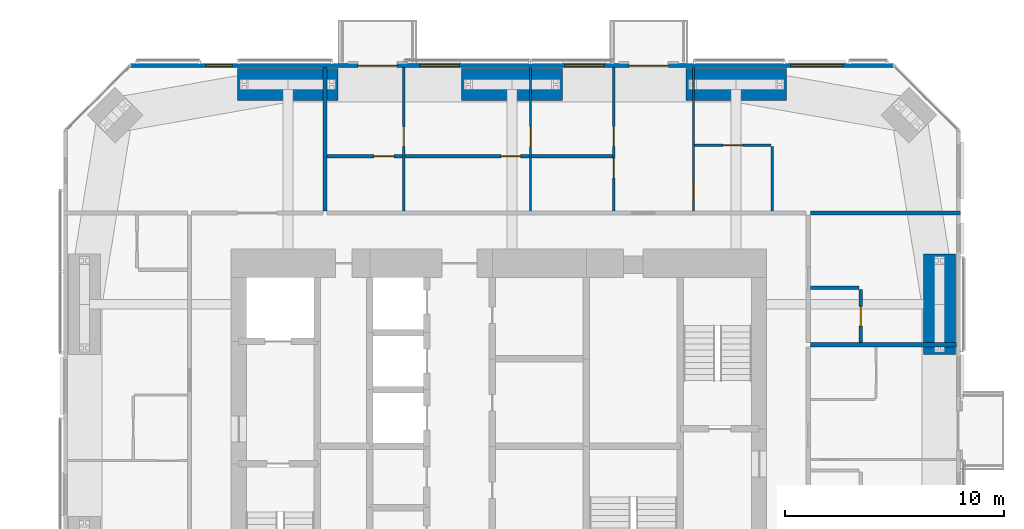
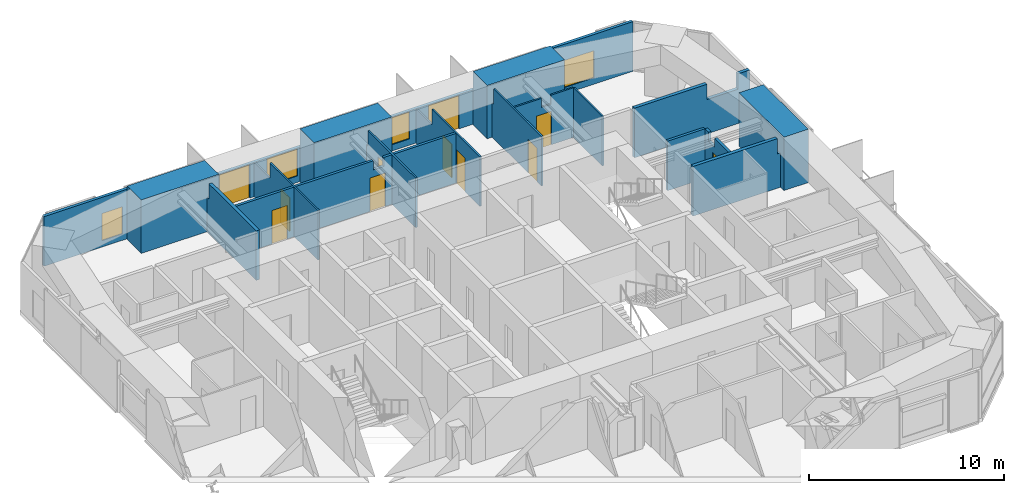
# One storey, part 20 of 22: 19 walls, 11 doors, 4 windows, 15 openings.
"""IFC4 building model written with IfcOpenShell, lengths in metres."""

from ifc_helpers import new_model, si_unit, direction, frame, frame_2d, origin, place, context, subcontext, project, spatial, polyline, rectangle, outline, extrude, material, layer, layer_set, constituent, constituent_set, type_object, element, fill, save


model = new_model("IFC4")

# Units and contexts
model_context = context("Model", 3, precision=1e-05, world=origin(), true_north=direction((0.0, 1.0)))
body_context = subcontext(model_context, "Body", "Model", "MODEL_VIEW")
ifc_project = project(units=[si_unit("LENGTHUNIT", "METRE"), si_unit("AREAUNIT", "SQUARE_METRE"), si_unit("VOLUMEUNIT", "CUBIC_METRE"), si_unit("PLANEANGLEUNIT", "RADIAN"), si_unit("MASSUNIT", "GRAM", prefix="KILO")], contexts=[model_context])

# Site, building, storey
site_placement = place(None, origin())
site = spatial("IfcSite", under=ifc_project, at=site_placement, CompositionType="ELEMENT")
building_placement = place(site_placement, origin())
building = spatial("IfcBuilding", under=site, at=building_placement, Name="Jalousie Tower", CompositionType="ELEMENT")
storey_placement = place(building_placement, frame((0.0, 0.0, 174.449951171875)))
storey = spatial("IfcBuildingStorey", under=building, at=storey_placement, Name="L47", CompositionType="ELEMENT", Elevation=174.449951171875)

# Wall, opening, door
ifc_material_1 = material(Name="Concrete block ASTM C90", Category="concrete")
ifc_constituent_1 = constituent(ifc_material_1, Name="Body")
ifc_material_2 = material(Name="Render")
ifc_constituent_2 = constituent(ifc_material_2, Name="Finish")
ifc_constituent_set_1 = constituent_set(constituents=[ifc_constituent_1, ifc_constituent_2])
wall_type_1 = type_object("IfcWallType", Name="BATHROOM WALL 150", PredefinedType="PLUMBINGWALL", material=ifc_constituent_set_1)
wall_1_placement = place(storey_placement, frame((24.050048828125, 31.77490234375, 0.0), z_axis=(0.0, 0.0, 1.0), x_axis=(1.0, 0.0, 0.0)))
wall_1 = element("IfcWall", 1, at=wall_1_placement, inside=storey, type_object=wall_type_1, Name="Bathroom Wall 150 L47", PredefinedType="PLUMBINGWALL", context=body_context, shape_type="SweptSolid", body=[
    extrude(rectangle(XDim=3.449951171875, YDim=0.14990234375, at=frame_2d((1.72509765625, 0.0))), origin(), (0.0, 0.0, 1.0), 3.110107421875),
])
opening_1_placement = place(wall_1_placement, frame((2.14990234375, 0.0, 0.0)))
opening_1 = element("IfcOpeningElement", 2, at=opening_1_placement, cuts=wall_1, Name="Opening D3", PredefinedType="OPENING", context=body_context, shape_type="SweptSolid", body=[
    extrude(rectangle(XDim=0.89990234375, YDim=2.10009765625, at=frame_2d((0.449951171875, 1.050048828125))), frame((0.0, 0.0849609375, 0.0), z_axis=(0.0, -1.0, 0.0), x_axis=(1.0, 0.0, 0.0)), (0.0, 0.0, 1.0), 0.169921875),
])
ifc_material_3 = material(Name="Timber door", Category="wood")
door_type_1 = type_object("IfcDoorType", Name="BATHROOM DOOR 900", OperationType="SINGLE_SWING_LEFT", PredefinedType="DOOR", material=ifc_material_3)
door_1_placement = place(opening_1_placement, frame((0.89990234375, 0.0, 0.0), z_axis=(0.0, 0.0, 1.0), x_axis=(-1.0, 0.0, 0.0)))
door_1 = element("IfcDoor", 3, at=door_1_placement, inside=storey, type_object=door_type_1, Name="Apartment 4704 bedroom 1 bathroom door", OperationType="SINGLE_SWING_LEFT", OverallHeight=2.10009765625, OverallWidth=0.89990234375, PredefinedType="DOOR", context=body_context, shape_type="SweptSolid", body=[
    extrude(rectangle(XDim=0.89990234375, YDim=2.10009765625, at=frame_2d((0.449951171875, 1.050048828125))), frame((0.0, 0.02490234375, 0.0), z_axis=(0.0, -1.0, 0.0), x_axis=(1.0, 0.0, 0.0)), (0.0, 0.0, 1.0), 0.050048828125),
])
fill(opening_1, door_1)

wall_2_placement = place(storey_placement, frame((27.60009765625, 31.77490234375, 0.0), z_axis=(0.0, 0.0, 1.0), x_axis=(1.0, 0.0, 0.0)))
wall_2 = element("IfcWall", 4, at=wall_2_placement, inside=storey, type_object=wall_type_1, Name="Bathroom Wall 150 L47", PredefinedType="PLUMBINGWALL", context=body_context, shape_type="SweptSolid", body=[
    extrude(outline(polyline([(0.0, 0.0), (5.699951171875, 0.0), (5.699951171875, 3.110107421875), (5.21240234375, 3.110107421875), (5.21240234375, 2.541015625), (4.587646484375, 2.541015625), (4.587646484375, 3.110107421875), (0.0, 3.110107421875), (0.0, 0.0)])), frame((0.0, 0.074951171875, 0.0), z_axis=(0.0, -1.0, 0.0), x_axis=(1.0, 0.0, 0.0)), (0.0, 0.0, 1.0), 0.14990234375),
])
opening_2_placement = place(wall_2_placement, frame((4.39990234375, 0.0, 0.0)))
opening_2 = element("IfcOpeningElement", 5, at=opening_2_placement, cuts=wall_2, Name="Opening D3", PredefinedType="OPENING", context=body_context, shape_type="SweptSolid", body=[
    extrude(rectangle(XDim=0.89990234375, YDim=2.10009765625, at=frame_2d((0.449951171875, 1.050048828125))), frame((0.0, 0.0849609375, 0.0), z_axis=(0.0, -1.0, 0.0), x_axis=(1.0, 0.0, 0.0)), (0.0, 0.0, 1.0), 0.169921875),
])
door_2_placement = place(opening_2_placement, frame((0.89990234375, 0.0, 0.0), z_axis=(0.0, 0.0, 1.0), x_axis=(-1.0, 0.0, 0.0)))
door_2 = element("IfcDoor", 6, at=door_2_placement, inside=storey, type_object=door_type_1, Name="Apartment 4704 bedroom 2 bathroom door", OperationType="SINGLE_SWING_LEFT", OverallHeight=2.10009765625, OverallWidth=0.89990234375, PredefinedType="DOOR", context=body_context, shape_type="SweptSolid", body=[
    extrude(rectangle(XDim=0.89990234375, YDim=2.10009765625, at=frame_2d((0.449951171875, 1.050048828125))), frame((0.0, 0.02490234375, 0.0), z_axis=(0.0, -1.0, 0.0), x_axis=(1.0, 0.0, 0.0)), (0.0, 0.0, 1.0), 0.050048828125),
])
fill(opening_2, door_2)

# Wall
wall_3_placement = place(storey_placement, frame((33.39990234375, 31.77490234375, 0.0), z_axis=(0.0, 0.0, 1.0), x_axis=(1.0, 0.0, 0.0)))
element("IfcWall", 7, at=wall_3_placement, inside=storey, type_object=wall_type_1, Name="Bathroom Wall 150 L47", PredefinedType="PLUMBINGWALL", context=body_context, shape_type="SweptSolid", body=[
    extrude(rectangle(XDim=3.7001953125, YDim=0.14990234375, at=frame_2d((1.85009765625, 0.0))), origin(), (0.0, 0.0, 1.0), 3.110107421875),
])

# Wall, opening, door
wall_4_placement = place(storey_placement, frame((48.449951171875, 23.25, 0.0), z_axis=(0.0, 0.0, 1.0), x_axis=(0.0, 1.0, 0.0)))
wall_4 = element("IfcWall", 8, at=wall_4_placement, inside=storey, type_object=wall_type_1, Name="Bathroom Wall 150 L47", PredefinedType="PLUMBINGWALL", context=body_context, shape_type="SweptSolid", body=[
    extrude(outline(polyline([(0.0, 0.0), (2.425048828125, 0.0), (2.425048828125, 3.110107421875), (2.0625, 3.110107421875), (2.0625, 2.541015625), (1.4375, 2.541015625), (1.4375, 3.110107421875), (0.0, 3.110107421875), (0.0, 0.0)])), frame((0.0, 0.074951171875, 0.0), z_axis=(0.0, -1.0, 0.0), x_axis=(1.0, 0.0, 0.0)), (0.0, 0.0, 1.0), 0.14990234375),
])
opening_3_placement = place(wall_4_placement, frame((0.75, 0.0, 0.0)))
opening_3 = element("IfcOpeningElement", 9, at=opening_3_placement, cuts=wall_4, Name="Opening D3", PredefinedType="OPENING", context=body_context, shape_type="SweptSolid", body=[
    extrude(rectangle(XDim=0.89990234375, YDim=2.10009765625, at=frame_2d((0.449951171875, 1.050048828125))), frame((0.0, 0.0849609375, 0.0), z_axis=(0.0, -1.0, 0.0), x_axis=(1.0, 0.0, 0.0)), (0.0, 0.0, 1.0), 0.169921875),
])
door_3_placement = place(opening_3_placement, origin())
door_3 = element("IfcDoor", 10, at=door_3_placement, inside=storey, type_object=door_type_1, Name="Apartment 4708 bathroom door", OperationType="SINGLE_SWING_LEFT", OverallHeight=2.10009765625, OverallWidth=0.89990234375, PredefinedType="DOOR", context=body_context, shape_type="SweptSolid", body=[
    extrude(rectangle(XDim=0.89990234375, YDim=2.10009765625, at=frame_2d((0.449951171875, 1.050048828125))), frame((0.0, 0.02490234375, 0.0), z_axis=(0.0, -1.0, 0.0), x_axis=(1.0, 0.0, 0.0)), (0.0, 0.0, 1.0), 0.050048828125),
])
fill(opening_3, door_3)

# Wall
wall_5_placement = place(storey_placement, frame((48.375, 25.75, 0.0), z_axis=(0.0, 0.0, 1.0), x_axis=(-1.0, 0.0, 0.0)))
element("IfcWall", 11, at=wall_5_placement, inside=storey, type_object=wall_type_1, Name="Bathroom Wall 150 L47", PredefinedType="PLUMBINGWALL", context=body_context, shape_type="SweptSolid", body=[
    extrude(rectangle(XDim=2.22509765625, YDim=0.14990234375, at=frame_2d((1.112548828125, 0.0))), origin(), (0.0, 0.0, 1.0), 3.110107421875),
])

# Wall, openings, doors, windows
ifc_material_4 = material(Name="Concrete f'c 40 MPa", Category="concrete")
ifc_constituent_3 = constituent(ifc_material_4, Name="Body")
ifc_material_5 = material(Name="Render, pastel lemon")
ifc_constituent_4 = constituent(ifc_material_5, Name="Finish")
ifc_constituent_set_2 = constituent_set(constituents=[ifc_constituent_3, ifc_constituent_4])
wall_type_2 = type_object("IfcWallType", Name="EXTERNAL WALL 175 LEMON RENDER", PredefinedType="SOLIDWALL", material=ifc_constituent_set_2)
wall_6_placement = place(storey_placement, frame((49.94873046875, 35.91259765625, 0.0), z_axis=(0.0, 0.0, 1.0), x_axis=(-1.0, 0.0, 0.0)))
wall_6 = element("IfcWall", 12, at=wall_6_placement, inside=storey, type_object=wall_type_2, Name="External Wall 175 Lemon Render L47", PredefinedType="SOLIDWALL", context=body_context, shape_type="SweptSolid", body=[
    extrude(outline(polyline([(0.0, 0.0), (34.8974609375, 0.0), (34.8974609375, 3.110107421875), (27.91015625, 3.110107421875), (27.91015625, 2.150146484375), (27.8359375, 2.150146484375), (27.8359375, 3.110107421875), (27.69873046875, 3.110107421875), (27.69873046875, 2.150146484375), (7.19873046875, 2.150146484375), (7.19873046875, 3.110107421875), (7.0615234375, 3.110107421875), (7.0615234375, 2.150146484375), (6.9873046875, 2.150146484375), (6.9873046875, 3.110107421875), (0.0, 3.110107421875), (0.0, 0.0)])), frame((0.0, 0.08740234375, 0.0), z_axis=(0.0, -1.0, 0.0), x_axis=(1.0, 0.0, 0.0)), (0.0, 0.0, 1.0), 0.175048828125),
])
opening_4_placement = place(wall_6_placement, frame((2.299560546875, 0.0, 0.39990234375)))
opening_4 = element("IfcOpeningElement", 13, at=opening_4_placement, cuts=wall_6, Name="Opening W-LIV170", PredefinedType="OPENING", context=body_context, shape_type="SweptSolid", body=[
    extrude(rectangle(XDim=2.39990234375, YDim=1.699951171875, at=frame_2d((1.199951171875, 0.85009765625))), frame((0.0, 0.097412109375, 0.0), z_axis=(0.0, -1.0, 0.0), x_axis=(1.0, 0.0, 0.0)), (0.0, 0.0, 1.0), 0.195068359375),
])
opening_5_placement = place(wall_6_placement, frame((10.298583984375, 0.0, 0.0)))
opening_5 = element("IfcOpeningElement", 14, at=opening_5_placement, cuts=wall_6, Name="Opening D-BAL21", PredefinedType="OPENING", context=body_context, shape_type="SweptSolid", body=[
    extrude(rectangle(XDim=1.800048828125, YDim=2.10009765625, at=frame_2d((0.89990234375, 1.050048828125))), frame((0.0, 0.097412109375, 0.0), z_axis=(0.0, -1.0, 0.0), x_axis=(1.0, 0.0, 0.0)), (0.0, 0.0, 1.0), 0.195068359375),
])
opening_6_placement = place(wall_6_placement, frame((13.228759765625, 0.0, 0.39990234375)))
opening_6 = element("IfcOpeningElement", 15, at=opening_6_placement, cuts=wall_6, Name="Opening W-BED170", PredefinedType="OPENING", context=body_context, shape_type="SweptSolid", body=[
    extrude(rectangle(XDim=1.800048828125, YDim=1.699951171875, at=frame_2d((0.89990234375, 0.85009765625))), frame((0.0, 0.097412109375, 0.0), z_axis=(0.0, -1.0, 0.0), x_axis=(1.0, 0.0, 0.0)), (0.0, 0.0, 1.0), 0.195068359375),
])
opening_7_placement = place(wall_6_placement, frame((19.878662109375, 0.0, 0.39990234375)))
opening_7 = element("IfcOpeningElement", 16, at=opening_7_placement, cuts=wall_6, Name="Opening W-BED170", PredefinedType="OPENING", context=body_context, shape_type="SweptSolid", body=[
    extrude(rectangle(XDim=1.800048828125, YDim=1.699951171875, at=frame_2d((0.89990234375, 0.85009765625))), frame((0.0, 0.097412109375, 0.0), z_axis=(0.0, -1.0, 0.0), x_axis=(1.0, 0.0, 0.0)), (0.0, 0.0, 1.0), 0.195068359375),
])
opening_8_placement = place(wall_6_placement, frame((22.69873046875, 0.0, 0.0)))
opening_8 = element("IfcOpeningElement", 17, at=opening_8_placement, cuts=wall_6, Name="Opening D-BAL21", PredefinedType="OPENING", context=body_context, shape_type="SweptSolid", body=[
    extrude(rectangle(XDim=1.800048828125, YDim=2.10009765625, at=frame_2d((0.89990234375, 1.050048828125))), frame((0.0, 0.097412109375, 0.0), z_axis=(0.0, -1.0, 0.0), x_axis=(1.0, 0.0, 0.0)), (0.0, 0.0, 1.0), 0.195068359375),
])
opening_9_placement = place(wall_6_placement, frame((30.2431640625, 0.0, 0.39990234375)))
opening_9 = element("IfcOpeningElement", 18, at=opening_9_placement, cuts=wall_6, Name="Opening W-COR170", PredefinedType="OPENING", context=body_context, shape_type="SweptSolid", body=[
    extrude(rectangle(XDim=1.199951171875, YDim=1.699951171875, at=frame_2d((0.60009765625, 0.85009765625))), frame((0.0, 0.097412109375, 0.0), z_axis=(0.0, -1.0, 0.0), x_axis=(1.0, 0.0, 0.0)), (0.0, 0.0, 1.0), 0.195068359375),
])
ifc_material_6 = material(Name="Aluminium frame, impact-rated glazing", Category="aluminium")
door_type_2 = type_object("IfcDoorType", Name="BALCONY DOOR 1800x2100", OperationType="SLIDING_TO_LEFT", PredefinedType="DOOR", material=ifc_material_6)
door_4_placement = place(opening_5_placement, origin())
door_4 = element("IfcDoor", 19, at=door_4_placement, inside=storey, type_object=door_type_2, Name="Apartment 4704 study balcony door", OperationType="SLIDING_TO_LEFT", OverallHeight=2.10009765625, OverallWidth=1.800048828125, PredefinedType="DOOR", context=body_context, shape_type="SweptSolid", body=[
    extrude(rectangle(XDim=1.800048828125, YDim=2.10009765625, at=frame_2d((0.89990234375, 1.050048828125))), frame((0.0, 0.02490234375, 0.0), z_axis=(0.0, -1.0, 0.0), x_axis=(1.0, 0.0, 0.0)), (0.0, 0.0, 1.0), 0.050048828125),
])
fill(opening_5, door_4)
door_5_placement = place(opening_8_placement, origin())
door_5 = element("IfcDoor", 20, at=door_5_placement, inside=storey, type_object=door_type_2, Name="Apartment 4704 bedroom 1 balcony door", OperationType="SLIDING_TO_LEFT", OverallHeight=2.10009765625, OverallWidth=1.800048828125, PredefinedType="DOOR", context=body_context, shape_type="SweptSolid", body=[
    extrude(rectangle(XDim=1.800048828125, YDim=2.10009765625, at=frame_2d((0.89990234375, 1.050048828125))), frame((0.0, 0.02490234375, 0.0), z_axis=(0.0, -1.0, 0.0), x_axis=(1.0, 0.0, 0.0)), (0.0, 0.0, 1.0), 0.050048828125),
])
fill(opening_8, door_5)
ifc_material_7 = material(Name="Aluminium frame, impact-rated glazing", Category="aluminium")
window_type_1 = type_object("IfcWindowType", Name="WINDOW BED 1800x1700", PartitioningType="SINGLE_PANEL", PredefinedType="WINDOW", material=ifc_material_7)
window_1_placement = place(opening_6_placement, origin())
window_1 = element("IfcWindow", 21, at=window_1_placement, inside=storey, type_object=window_type_1, Name="Apartment 4704 bedroom 3 window", OverallHeight=1.699951171875, OverallWidth=1.800048828125, PartitioningType="SINGLE_PANEL", PredefinedType="WINDOW", context=body_context, shape_type="SweptSolid", body=[
    extrude(rectangle(XDim=1.800048828125, YDim=1.699951171875, at=frame_2d((0.89990234375, 0.85009765625))), frame((0.0, 0.030029296875, 0.0), z_axis=(0.0, -1.0, 0.0), x_axis=(1.0, 0.0, 0.0)), (0.0, 0.0, 1.0), 0.06005859375),
])
fill(opening_6, window_1)
window_2_placement = place(opening_7_placement, origin())
window_2 = element("IfcWindow", 22, at=window_2_placement, inside=storey, type_object=window_type_1, Name="Apartment 4704 bedroom 2 window", OverallHeight=1.699951171875, OverallWidth=1.800048828125, PartitioningType="SINGLE_PANEL", PredefinedType="WINDOW", context=body_context, shape_type="SweptSolid", body=[
    extrude(rectangle(XDim=1.800048828125, YDim=1.699951171875, at=frame_2d((0.89990234375, 0.85009765625))), frame((0.0, 0.030029296875, 0.0), z_axis=(0.0, -1.0, 0.0), x_axis=(1.0, 0.0, 0.0)), (0.0, 0.0, 1.0), 0.06005859375),
])
fill(opening_7, window_2)
ifc_material_8 = material(Name="Aluminium frame, impact-rated glazing", Category="aluminium")
window_type_2 = type_object("IfcWindowType", Name="WINDOW COR 1200x1700", PartitioningType="SINGLE_PANEL", PredefinedType="WINDOW", material=ifc_material_8)
window_3_placement = place(opening_9_placement, origin())
window_3 = element("IfcWindow", 23, at=window_3_placement, inside=storey, type_object=window_type_2, Name="Residents' lounge window", OverallHeight=1.699951171875, OverallWidth=1.199951171875, PartitioningType="SINGLE_PANEL", PredefinedType="WINDOW", context=body_context, shape_type="SweptSolid", body=[
    extrude(rectangle(XDim=1.199951171875, YDim=1.699951171875, at=frame_2d((0.60009765625, 0.85009765625))), frame((0.0, 0.030029296875, 0.0), z_axis=(0.0, -1.0, 0.0), x_axis=(1.0, 0.0, 0.0)), (0.0, 0.0, 1.0), 0.06005859375),
])
fill(opening_9, window_3)
ifc_material_9 = material(Name="Aluminium frame, impact-rated glazing", Category="aluminium")
window_type_3 = type_object("IfcWindowType", Name="WINDOW LIV 2400x1700", PartitioningType="DOUBLE_PANEL_VERTICAL", PredefinedType="WINDOW", material=ifc_material_9)
window_4_placement = place(opening_4_placement, origin())
window_4 = element("IfcWindow", 24, at=window_4_placement, inside=storey, type_object=window_type_3, Name="Apartment 4704 living and dining room window", OverallHeight=1.699951171875, OverallWidth=2.39990234375, PartitioningType="SINGLE_PANEL", PredefinedType="WINDOW", context=body_context, shape_type="SweptSolid", body=[
    extrude(rectangle(XDim=2.39990234375, YDim=1.699951171875, at=frame_2d((1.199951171875, 0.85009765625))), frame((0.0, 0.030029296875, 0.0), z_axis=(0.0, -1.0, 0.0), x_axis=(1.0, 0.0, 0.0)), (0.0, 0.0, 1.0), 0.06005859375),
])
fill(opening_4, window_4)

# Wall, opening, door
ifc_material_10 = material(Name="Gypsum board", Category="gypsum")
ifc_constituent_5 = constituent(ifc_material_10, Name="Body")
ifc_material_11 = material(Name="Light-gauge steel studs ASTM A653 SS Grade 33", Category="steel")
ifc_constituent_6 = constituent(ifc_material_11, Name="Framing")
ifc_constituent_set_3 = constituent_set(constituents=[ifc_constituent_5, ifc_constituent_6])
wall_type_3 = type_object("IfcWallType", Name="PARTITION 100", PredefinedType="PARTITIONING", material=ifc_constituent_set_3)
wall_7_placement = place(storey_placement, frame((27.550048828125, 35.824951171875, 0.0), z_axis=(0.0, 0.0, 1.0), x_axis=(0.0, -1.0, 0.0)))
wall_7 = element("IfcWall", 25, at=wall_7_placement, inside=storey, type_object=wall_type_3, Name="Partition 100 L47", PredefinedType="PARTITIONING", context=body_context, shape_type="SweptSolid", body=[
    extrude(outline(polyline([(0.0, 0.0), (6.550048828125, 0.0), (6.550048828125, 3.110107421875), (1.635009765625, 3.110107421875), (1.635009765625, 2.150146484375), (0.0, 2.150146484375), (0.0, 3.110107421875), (0.0, 0.0)])), frame((0.0, 0.050048828125, 0.0), z_axis=(0.0, -1.0, 0.0), x_axis=(1.0, 0.0, 0.0)), (0.0, 0.0, 1.0), 0.10009765625),
])
opening_10_placement = place(wall_7_placement, frame((2.699951171875, 0.0, 0.0)))
opening_10 = element("IfcOpeningElement", 26, at=opening_10_placement, cuts=wall_7, Name="Opening D2", PredefinedType="OPENING", context=body_context, shape_type="SweptSolid", body=[
    extrude(rectangle(XDim=0.89990234375, YDim=2.10009765625, at=frame_2d((0.449951171875, 1.050048828125))), frame((0.0, 0.06005859375, 0.0), z_axis=(0.0, -1.0, 0.0), x_axis=(1.0, 0.0, 0.0)), (0.0, 0.0, 1.0), 0.1201171875),
])
ifc_material_12 = material(Name="Timber door", Category="wood")
door_type_3 = type_object("IfcDoorType", Name="BEDROOM DOOR 900", OperationType="SINGLE_SWING_LEFT", PredefinedType="DOOR", material=ifc_material_12)
door_6_placement = place(opening_10_placement, origin())
door_6 = element("IfcDoor", 27, at=door_6_placement, inside=storey, type_object=door_type_3, Name="Apartment 4704 bedroom 1 door", OperationType="SINGLE_SWING_RIGHT", OverallHeight=2.10009765625, OverallWidth=0.89990234375, PredefinedType="DOOR", context=body_context, shape_type="SweptSolid", body=[
    extrude(rectangle(XDim=0.89990234375, YDim=2.10009765625, at=frame_2d((0.449951171875, 1.050048828125))), frame((0.0, 0.02490234375, 0.0), z_axis=(0.0, -1.0, 0.0), x_axis=(1.0, 0.0, 0.0)), (0.0, 0.0, 1.0), 0.050048828125),
])
fill(opening_10, door_6)

wall_8_placement = place(storey_placement, frame((33.35009765625, 35.824951171875, 0.0), z_axis=(0.0, 0.0, 1.0), x_axis=(0.0, -1.0, 0.0)))
wall_8 = element("IfcWall", 28, at=wall_8_placement, inside=storey, type_object=wall_type_3, Name="Partition 100 L47", PredefinedType="PARTITIONING", context=body_context, shape_type="SweptSolid", body=[
    extrude(outline(polyline([(0.52880859375, 2.150146484375), (0.0, 2.150146484375), (0.0, 0.0), (0.52880859375, 0.0), (0.52880859375, 0.792724609375), (1.021240234375, 0.792724609375), (1.021240234375, 0.0), (6.550048828125, 0.0), (6.550048828125, 3.110107421875), (1.635009765625, 3.110107421875), (1.635009765625, 2.150146484375), (1.021240234375, 2.150146484375), (1.021240234375, 1.357421875), (0.52880859375, 1.357421875), (0.52880859375, 2.150146484375)])), frame((0.0, 0.050048828125, 0.0), z_axis=(0.0, -1.0, 0.0), x_axis=(1.0, 0.0, 0.0)), (0.0, 0.0, 1.0), 0.10009765625),
])
opening_11_placement = place(wall_8_placement, frame((2.699951171875, 0.0, 0.0)))
opening_11 = element("IfcOpeningElement", 29, at=opening_11_placement, cuts=wall_8, Name="Opening D2", PredefinedType="OPENING", context=body_context, shape_type="SweptSolid", body=[
    extrude(rectangle(XDim=0.89990234375, YDim=2.10009765625, at=frame_2d((0.449951171875, 1.050048828125))), frame((0.0, 0.06005859375, 0.0), z_axis=(0.0, -1.0, 0.0), x_axis=(1.0, 0.0, 0.0)), (0.0, 0.0, 1.0), 0.1201171875),
])
door_7_placement = place(opening_11_placement, frame((0.89990234375, 0.0, 0.0), z_axis=(0.0, 0.0, 1.0), x_axis=(-1.0, 0.0, 0.0)))
door_7 = element("IfcDoor", 30, at=door_7_placement, inside=storey, type_object=door_type_3, Name="Apartment 4704 bedroom 2 door", OperationType="SINGLE_SWING_LEFT", OverallHeight=2.10009765625, OverallWidth=0.89990234375, PredefinedType="DOOR", context=body_context, shape_type="SweptSolid", body=[
    extrude(rectangle(XDim=0.89990234375, YDim=2.10009765625, at=frame_2d((0.449951171875, 1.050048828125))), frame((0.0, 0.02490234375, 0.0), z_axis=(0.0, -1.0, 0.0), x_axis=(1.0, 0.0, 0.0)), (0.0, 0.0, 1.0), 0.050048828125),
])
fill(opening_11, door_7)

# Wall, openings, doors
wall_9_placement = place(storey_placement, frame((37.14990234375, 35.824951171875, 0.0), z_axis=(0.0, 0.0, 1.0), x_axis=(0.0, -1.0, 0.0)))
wall_9 = element("IfcWall", 31, at=wall_9_placement, inside=storey, type_object=wall_type_3, Name="Partition 100 L47", PredefinedType="PARTITIONING", context=body_context, shape_type="SweptSolid", body=[
    extrude(outline(polyline([(0.0, 0.0), (6.550048828125, 0.0), (6.550048828125, 3.110107421875), (1.635009765625, 3.110107421875), (1.635009765625, 2.150146484375), (0.0, 2.150146484375), (0.0, 3.110107421875), (0.0, 0.0)])), frame((0.0, 0.050048828125, 0.0), z_axis=(0.0, -1.0, 0.0), x_axis=(1.0, 0.0, 0.0)), (0.0, 0.0, 1.0), 0.10009765625),
])
opening_12_placement = place(wall_9_placement, frame((2.699951171875, 0.0, 0.0)))
opening_12 = element("IfcOpeningElement", 32, at=opening_12_placement, cuts=wall_9, Name="Opening D2", PredefinedType="OPENING", context=body_context, shape_type="SweptSolid", body=[
    extrude(rectangle(XDim=0.89990234375, YDim=2.10009765625, at=frame_2d((0.449951171875, 1.050048828125))), frame((0.0, 0.06005859375, 0.0), z_axis=(0.0, -1.0, 0.0), x_axis=(1.0, 0.0, 0.0)), (0.0, 0.0, 1.0), 0.1201171875),
])
opening_13_placement = place(wall_9_placement, frame((4.14990234375, 0.0, 0.0)))
opening_13 = element("IfcOpeningElement", 33, at=opening_13_placement, cuts=wall_9, Name="Opening D7", PredefinedType="OPENING", context=body_context, shape_type="SweptSolid", body=[
    extrude(rectangle(XDim=0.89990234375, YDim=2.10009765625, at=frame_2d((0.449951171875, 1.050048828125))), frame((0.0, 0.06005859375, 0.0), z_axis=(0.0, -1.0, 0.0), x_axis=(1.0, 0.0, 0.0)), (0.0, 0.0, 1.0), 0.1201171875),
])
door_8_placement = place(opening_12_placement, frame((0.89990234375, 0.0, 0.0), z_axis=(0.0, 0.0, 1.0), x_axis=(-1.0, 0.0, 0.0)))
door_8 = element("IfcDoor", 34, at=door_8_placement, inside=storey, type_object=door_type_3, Name="Apartment 4704 bedroom 3 door", OperationType="SINGLE_SWING_LEFT", OverallHeight=2.10009765625, OverallWidth=0.89990234375, PredefinedType="DOOR", context=body_context, shape_type="SweptSolid", body=[
    extrude(rectangle(XDim=0.89990234375, YDim=2.10009765625, at=frame_2d((0.449951171875, 1.050048828125))), frame((0.0, 0.02490234375, 0.0), z_axis=(0.0, -1.0, 0.0), x_axis=(1.0, 0.0, 0.0)), (0.0, 0.0, 1.0), 0.050048828125),
])
fill(opening_12, door_8)
ifc_material_13 = material(Name="Timber door", Category="wood")
door_type_4 = type_object("IfcDoorType", Name="INTERNAL DOOR 900", OperationType="SINGLE_SWING_LEFT", PredefinedType="DOOR", material=ifc_material_13)
door_9_placement = place(opening_13_placement, frame((0.89990234375, 0.0, 0.0), z_axis=(0.0, 0.0, 1.0), x_axis=(-1.0, 0.0, 0.0)))
door_9 = element("IfcDoor", 35, at=door_9_placement, inside=storey, type_object=door_type_4, Name="Apartment 4704 bathroom door", OperationType="SINGLE_SWING_RIGHT", OverallHeight=2.10009765625, OverallWidth=0.89990234375, PredefinedType="DOOR", context=body_context, shape_type="SweptSolid", body=[
    extrude(rectangle(XDim=0.89990234375, YDim=2.10009765625, at=frame_2d((0.449951171875, 1.050048828125))), frame((0.0, 0.02490234375, 0.0), z_axis=(0.0, -1.0, 0.0), x_axis=(1.0, 0.0, 0.0)), (0.0, 0.0, 1.0), 0.050048828125),
])
fill(opening_13, door_9)

# Wall, opening, door
wall_10_placement = place(storey_placement, frame((40.800048828125, 35.824951171875, 0.0), z_axis=(0.0, 0.0, 1.0), x_axis=(0.0, -1.0, 0.0)))
wall_10 = element("IfcWall", 36, at=wall_10_placement, inside=storey, type_object=wall_type_3, Name="Partition 100 L47", PredefinedType="PARTITIONING", context=body_context, shape_type="SweptSolid", body=[
    extrude(outline(polyline([(0.0, 0.0), (6.550048828125, 0.0), (6.550048828125, 3.110107421875), (1.635009765625, 3.110107421875), (1.635009765625, 2.150146484375), (0.0, 2.150146484375), (0.0, 3.110107421875), (0.0, 0.0)])), frame((0.0, 0.050048828125, 0.0), z_axis=(0.0, -1.0, 0.0), x_axis=(1.0, 0.0, 0.0)), (0.0, 0.0, 1.0), 0.10009765625),
])
opening_14_placement = place(wall_10_placement, frame((5.199951171875, 0.0, 0.0)))
opening_14 = element("IfcOpeningElement", 37, at=opening_14_placement, cuts=wall_10, Name="Opening D2", PredefinedType="OPENING", context=body_context, shape_type="SweptSolid", body=[
    extrude(rectangle(XDim=0.89990234375, YDim=2.10009765625, at=frame_2d((0.449951171875, 1.050048828125))), frame((0.0, 0.06005859375, 0.0), z_axis=(0.0, -1.0, 0.0), x_axis=(1.0, 0.0, 0.0)), (0.0, 0.0, 1.0), 0.1201171875),
])
door_10_placement = place(opening_14_placement, frame((0.89990234375, 0.0, 0.0), z_axis=(0.0, 0.0, 1.0), x_axis=(-1.0, 0.0, 0.0)))
door_10 = element("IfcDoor", 38, at=door_10_placement, inside=storey, type_object=door_type_3, Name="Apartment 4704 study door", OperationType="SINGLE_SWING_LEFT", OverallHeight=2.10009765625, OverallWidth=0.89990234375, PredefinedType="DOOR", context=body_context, shape_type="SweptSolid", body=[
    extrude(rectangle(XDim=0.89990234375, YDim=2.10009765625, at=frame_2d((0.449951171875, 1.050048828125))), frame((0.0, 0.02490234375, 0.0), z_axis=(0.0, -1.0, 0.0), x_axis=(1.0, 0.0, 0.0)), (0.0, 0.0, 1.0), 0.050048828125),
])
fill(opening_14, door_10)

wall_11_placement = place(storey_placement, frame((40.85009765625, 32.27490234375, 0.0), z_axis=(0.0, 0.0, 1.0), x_axis=(1.0, 0.0, 0.0)))
wall_11 = element("IfcWall", 39, at=wall_11_placement, inside=storey, type_object=wall_type_3, Name="Partition 100 L47", PredefinedType="PARTITIONING", context=body_context, shape_type="SweptSolid", body=[
    extrude(outline(polyline([(0.0, 0.0), (3.5, 0.0), (3.5, 3.110107421875), (2.1875, 3.110107421875), (2.1875, 2.541015625), (1.61279296875, 2.541015625), (1.61279296875, 3.110107421875), (0.0, 3.110107421875), (0.0, 0.0)])), frame((0.0, 0.050048828125, 0.0), z_axis=(0.0, -1.0, 0.0), x_axis=(1.0, 0.0, 0.0)), (0.0, 0.0, 1.0), 0.10009765625),
])
opening_15_placement = place(wall_11_placement, frame((1.300048828125, 0.0, 0.0)))
opening_15 = element("IfcOpeningElement", 40, at=opening_15_placement, cuts=wall_11, Name="Opening D7", PredefinedType="OPENING", context=body_context, shape_type="SweptSolid", body=[
    extrude(rectangle(XDim=0.89990234375, YDim=2.10009765625, at=frame_2d((0.449951171875, 1.050048828125))), frame((0.0, 0.06005859375, 0.0), z_axis=(0.0, -1.0, 0.0), x_axis=(1.0, 0.0, 0.0)), (0.0, 0.0, 1.0), 0.1201171875),
])
door_11_placement = place(opening_15_placement, origin())
door_11 = element("IfcDoor", 41, at=door_11_placement, inside=storey, type_object=door_type_4, Name="Apartment 4704 kitchen door", OperationType="SINGLE_SWING_LEFT", OverallHeight=2.10009765625, OverallWidth=0.89990234375, PredefinedType="DOOR", context=body_context, shape_type="SweptSolid", body=[
    extrude(rectangle(XDim=0.89990234375, YDim=2.10009765625, at=frame_2d((0.449951171875, 1.050048828125))), frame((0.0, 0.02490234375, 0.0), z_axis=(0.0, -1.0, 0.0), x_axis=(1.0, 0.0, 0.0)), (0.0, 0.0, 1.0), 0.050048828125),
])
fill(opening_15, door_11)

# Walls
wall_12_placement = place(storey_placement, frame((44.39990234375, 32.22509765625, 0.0), z_axis=(0.0, 0.0, 1.0), x_axis=(0.0, -1.0, 0.0)))
element("IfcWall", 42, at=wall_12_placement, inside=storey, type_object=wall_type_3, Name="Partition 100 L47", PredefinedType="PARTITIONING", context=body_context, shape_type="SweptSolid", body=[
    extrude(rectangle(XDim=2.9501953125, YDim=0.10009765625, at=frame_2d((1.47509765625, 0.0))), origin(), (0.0, 0.0, 1.0), 3.110107421875),
])
ifc_material_14 = material(Name="Concrete block ASTM C90", Category="concrete")
ifc_constituent_7 = constituent(ifc_material_14, Name="Body")
ifc_material_15 = material(Name="Render")
ifc_constituent_8 = constituent(ifc_material_15, Name="Finish")
ifc_constituent_set_4 = constituent_set(constituents=[ifc_constituent_7, ifc_constituent_8])
wall_type_4 = type_object("IfcWallType", Name="PARTY WALL 200", PredefinedType="PARTITIONING", material=ifc_constituent_set_4)
wall_13_placement = place(storey_placement, frame((23.949951171875, 35.824951171875, 0.0), z_axis=(0.0, 0.0, 1.0), x_axis=(0.0, -1.0, 0.0)))
element("IfcWall", 43, at=wall_13_placement, inside=storey, type_object=wall_type_4, Name="Party Wall 200 L47", PredefinedType="PARTITIONING", context=body_context, shape_type="SweptSolid", body=[
    extrude(outline(polyline([(0.52880859375, 2.150146484375), (0.0, 2.150146484375), (0.0, 0.0), (0.52880859375, 0.0), (0.52880859375, 0.122802734375), (1.021240234375, 0.122802734375), (1.021240234375, 0.0), (6.550048828125, 0.0), (6.550048828125, 3.110107421875), (1.68505859375, 3.110107421875), (1.68505859375, 2.150146484375), (1.021240234375, 2.150146484375), (1.021240234375, 2.02734375), (0.52880859375, 2.02734375), (0.52880859375, 2.150146484375)])), frame((0.0, 0.10009765625, 0.0), z_axis=(0.0, -1.0, 0.0), x_axis=(1.0, 0.0, 0.0)), (0.0, 0.0, 1.0), 0.199951171875),
])
wall_14_placement = place(storey_placement, frame((46.14990234375, 29.175048828125, 0.0), z_axis=(0.0, 0.0, 1.0), x_axis=(1.0, 0.0, 0.0)))
element("IfcWall", 44, at=wall_14_placement, inside=storey, type_object=wall_type_4, Name="Party Wall 200 L47", PredefinedType="PARTITIONING", context=body_context, shape_type="SweptSolid", body=[
    extrude(outline(polyline([(0.0, 0.0), (6.85009765625, 0.0), (6.85009765625, 3.110107421875), (6.14697265625, 3.110107421875), (6.14697265625, 2.150146484375), (4.30322265625, 2.150146484375), (4.30322265625, 3.110107421875), (0.0, 3.110107421875), (0.0, 0.0)])), frame((0.0, 0.10009765625, 0.0), z_axis=(0.0, -1.0, 0.0), x_axis=(1.0, 0.0, 0.0)), (0.0, 0.0, 1.0), 0.199951171875),
])
wall_15_placement = place(storey_placement, frame((52.824951171875, 23.14990234375, 0.0), z_axis=(0.0, 0.0, 1.0), x_axis=(-1.0, 0.0, 0.0)))
element("IfcWall", 45, at=wall_15_placement, inside=storey, type_object=wall_type_4, Name="Party Wall 200 L47", PredefinedType="PARTITIONING", context=body_context, shape_type="SweptSolid", body=[
    extrude(outline(polyline([(0.0, 0.0), (6.675048828125, 0.0), (6.675048828125, 3.110107421875), (1.68505859375, 3.110107421875), (1.68505859375, 2.150146484375), (0.0, 2.150146484375), (0.0, 3.110107421875), (0.0, 0.0)])), frame((0.0, 0.10009765625, 0.0), z_axis=(0.0, -1.0, 0.0), x_axis=(1.0, 0.0, 0.0)), (0.0, 0.0, 1.0), 0.199951171875),
])
ifc_material_16 = material(Name="Concrete f'c 120 MPa", Category="concrete")
ifc_layer = layer(ifc_material_16, 1.449951171875)
ifc_layer_set = layer_set([ifc_layer], Name="Concrete f'c 120 MPa")
wall_type_5 = type_object("IfcWallType", Name="RC WALL PIER 1450", PredefinedType="SHEAR", material=ifc_layer_set)
for number, where, z_axis, x_axis, name in (
    (46, (52.050048828125, 22.699951171875, 0.0), (0.0, 0.0, 1.0), (0.0, 1.0, 0.0), "Wall pier 07 L47"),
    (47, (40.449951171875, 35.050048828125, 0.0), (0.0, 0.0, 1.0), (1.0, 0.0, 0.0), "Wall pier 09 L47"),
    (48, (30.199951171875, 35.050048828125, 0.0), (0.0, 0.0, 1.0), (1.0, 0.0, 0.0), "Wall pier 10 L47"),
    (49, (19.949951171875, 35.050048828125, 0.0), (0.0, 0.0, 1.0), (1.0, 0.0, 0.0), "Wall pier 11 L47"),
):
    element("IfcWall", number, at=place(storey_placement, frame(where, z_axis=z_axis, x_axis=x_axis)), inside=storey, type_object=wall_type_5, Name=name, PredefinedType="SHEAR", context=body_context, shape_type="SweptSolid", body=[
        extrude(rectangle(XDim=4.60009765625, YDim=1.449951171875, at=frame_2d((2.300048828125, 0.0))), origin(), (0.0, 0.0, 1.0), 3.35009765625),
    ])

save(model, "model.ifc")
